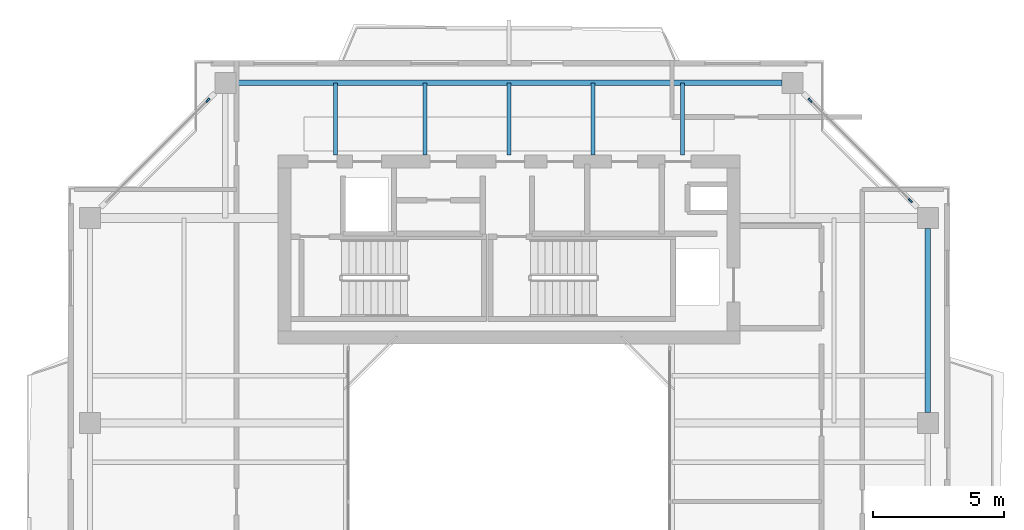
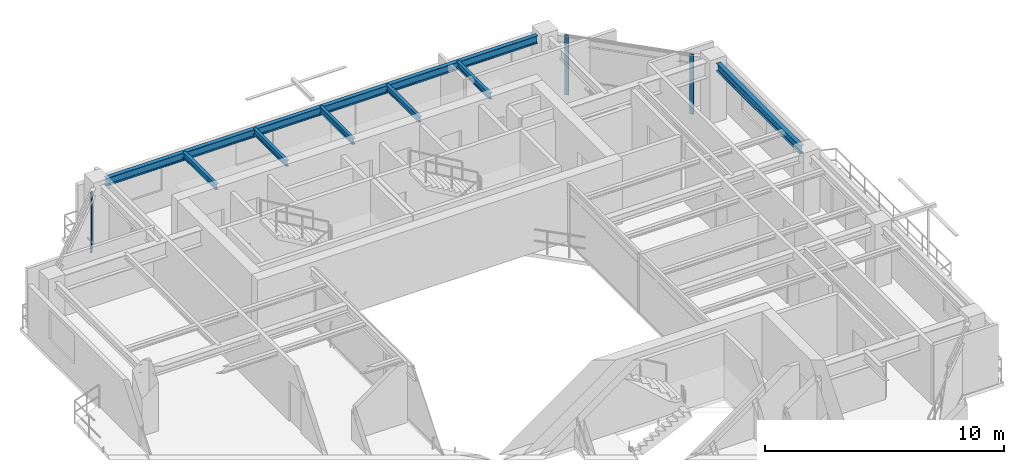
# One storey, part 8 of 16: 7 beams, 3 members, 2 elements without a shape of their own.
"""IFC4 building model written with IfcOpenShell, lengths in metres."""

from ifc_helpers import new_model, si_unit, direction, frame, origin, origin_2d, place, context, subcontext, project, spatial, rectangle, i_section, extrude, source, transform, mapped, material, layer, layer_set, material_profile, profile_set, type_object, element, aggregate, save


model = new_model("IFC4")

# Units and contexts
model_context = context("Model", 3, precision=1e-05, world=origin(), true_north=direction((0.0, 1.0)))
body_context = subcontext(model_context, "Body", "Model", "MODEL_VIEW")
ifc_project = project(units=[si_unit("LENGTHUNIT", "METRE"), si_unit("AREAUNIT", "SQUARE_METRE"), si_unit("VOLUMEUNIT", "CUBIC_METRE"), si_unit("PLANEANGLEUNIT", "RADIAN"), si_unit("MASSUNIT", "GRAM", prefix="KILO"), si_unit("THERMODYNAMICTEMPERATUREUNIT", "KELVIN"), si_unit("POWERUNIT", "WATT")], contexts=[model_context])

# Site, building, storey
site_placement = place(None, origin())
site = spatial("IfcSite", under=ifc_project, at=site_placement, CompositionType="ELEMENT")
building_placement = place(site_placement, origin())
building = spatial("IfcBuilding", under=site, at=building_placement, Name="Qiaomeng Ring Towers", CompositionType="ELEMENT")
storey_placement = place(building_placement, frame((0.0, 0.0, 229.5)))
storey = spatial("IfcBuildingStorey", under=building, at=storey_placement, Name="L67", CompositionType="ELEMENT", Elevation=229.5)

# Beams
ifc_material_1 = material(Name="Steel Q355B", Category="steel")
ifc_material_profile_1 = material_profile(ifc_material_1, i_section(OverallWidth=0.198974609375, OverallDepth=0.39599609375, WebThickness=0.007080078125, FlangeThickness=0.010986328125, FilletRadius=0.01611328125, at=origin_2d()), Name="HN 396x199x7x11")
ifc_profile_set_1 = profile_set([ifc_material_profile_1], Name="Steel Q355B")
beam_type_1 = type_object("IfcBeamType", Name="STR-BM-HN396", PredefinedType="SPANDREL", material=ifc_profile_set_1)
shared_shape_1 = source(origin(), body_context, "Body", "SweptSolid", [
    extrude(i_section(OverallWidth=0.198974609375, OverallDepth=0.39599609375, WebThickness=0.007080078125, FlangeThickness=0.010986328125, FilletRadius=0.01611328125, at=origin_2d()), origin(), (0.0, 0.0, 1.0), 20.8017578125),
])
beam_1_placement = place(storey_placement, frame((29.40087890625, 38.949951171875, 2.83203125), z_axis=(-1.0, 0.0, 0.0), x_axis=(0.0, -1.0, 0.0)))
element("IfcBeam", 1, at=beam_1_placement, inside=storey, type_object=beam_type_1, Name="L67 beam STR-SP-L67-T1-N2-N1", PredefinedType="SPANDREL", context=body_context, shape_type="MappedRepresentation", body=[
    mapped(shared_shape_1, transform((0.0, 0.0, 0.0), x_axis=(1.0, 0.0, 0.0), y_axis=(0.0, 1.0, 0.0), z_axis=(0.0, 0.0, 1.0), scale=1.0)),
])
shared_shape_2 = source(origin(), body_context, "Body", "SweptSolid", [
    extrude(i_section(OverallWidth=0.198974609375, OverallDepth=0.39599609375, WebThickness=0.007080078125, FlangeThickness=0.010986328125, FilletRadius=0.01611328125, at=origin_2d()), origin(), (0.0, 0.0, 1.0), 7.001953125),
])
beam_2_placement = place(storey_placement, frame((34.949951171875, 26.39892578125, 2.83203125), z_axis=(0.0, 1.0, 0.0), x_axis=(-1.0, 0.0, 0.0)))
element("IfcBeam", 2, at=beam_2_placement, inside=storey, type_object=beam_type_1, Name="L67 beam STR-SP-L67-T1-E3-E4", PredefinedType="SPANDREL", context=body_context, shape_type="MappedRepresentation", body=[
    mapped(shared_shape_2, transform((0.0, 0.0, 0.0), x_axis=(1.0, 0.0, 0.0), y_axis=(0.0, 1.0, 0.0), z_axis=(0.0, 0.0, 1.0), scale=1.0)),
])
ifc_material_profile_2 = material_profile(ifc_material_1, i_section(OverallWidth=0.14990234375, OverallDepth=0.300048828125, WebThickness=0.006591796875, FlangeThickness=0.009033203125, FilletRadius=0.012939453125, at=origin_2d()), Name="HN 300x150x6.5x9")
ifc_profile_set_2 = profile_set([ifc_material_profile_2], Name="Steel Q355B")
beam_type_2 = type_object("IfcBeamType", Name="STR-BM-HN300", PredefinedType="JOIST", material=ifc_profile_set_2)
shared_shape_3 = source(origin(), body_context, "Body", "SweptSolid", [
    extrude(i_section(OverallWidth=0.14990234375, OverallDepth=0.300048828125, WebThickness=0.006591796875, FlangeThickness=0.009033203125, FilletRadius=0.012939453125, at=origin_2d()), origin(), (0.0, 0.0, 1.0), 2.75),
])
for number, where, z_axis, x_axis, name in (
    (3, (12.39990234375, 36.199951171875, 2.8798828125), (0.0, 1.0, 0.0), (-1.0, 0.0, 0.0), "L67 beam STR-JST-L67-T1N-1"),
    (4, (15.800048828125, 36.199951171875, 2.8798828125), (0.0, 1.0, 0.0), (-1.0, 0.0, 0.0), "L67 beam STR-JST-L67-T1N-2"),
    (5, (19.0, 36.199951171875, 2.8798828125), (0.0, 1.0, 0.0), (-1.0, 0.0, 0.0), "L67 beam STR-JST-L67-T1N-3"),
    (6, (22.199951171875, 36.199951171875, 2.8798828125), (0.0, 1.0, 0.0), (-1.0, 0.0, 0.0), "L67 beam STR-JST-L67-T1N-4"),
    (7, (25.60009765625, 36.199951171875, 2.8798828125), (0.0, 1.0, 0.0), (-1.0, 0.0, 0.0), "L67 beam STR-JST-L67-T1N-5"),
):
    element("IfcBeam", number, at=place(storey_placement, frame(where, z_axis=z_axis, x_axis=x_axis)), inside=storey, type_object=beam_type_2, Name=name, PredefinedType="JOIST", context=body_context, shape_type="MappedRepresentation", body=[
        mapped(shared_shape_3, transform((0.0, 0.0, 0.0), x_axis=(1.0, 0.0, 0.0), y_axis=(0.0, 1.0, 0.0), z_axis=(0.0, 0.0, 1.0), scale=1.0)),
    ])

# Curtain wall, members
ifc_material_2 = material(Name="Fluorocarbon dark-grey aluminium", Category="aluminium")
ifc_layer = layer(ifc_material_2, 0.14990234375, Name="Fluorocarbon dark-grey aluminium")
ifc_layer_set = layer_set([ifc_layer], Name="Fluorocarbon dark-grey aluminium")
curtain_wall_type = type_object("IfcCurtainWallType", Name="ARC-CW-3", PredefinedType="NOTDEFINED", material=ifc_layer_set)
curtain_wall_1_placement = place(storey_placement, origin())
curtain_wall_1 = element("IfcCurtainWall", 8, at=curtain_wall_1_placement, inside=storey, type_object=curtain_wall_type, Name="L67 Curtain Wall CW3", PredefinedType="NOTDEFINED")
ifc_material_profile_3 = material_profile(ifc_material_2, rectangle(XDim=0.070068359375, YDim=0.179931640625, at=origin_2d()), Name="ALU MULL 70x180")
ifc_profile_set_3 = profile_set([ifc_material_profile_3], Name="Fluorocarbon dark-grey aluminium")
member_type = type_object("IfcMemberType", Name="ARC-CWM-160", PredefinedType="MULLION", material=ifc_profile_set_3)
shared_shape_4 = source(origin(), body_context, "Body", "SweptSolid", [
    extrude(rectangle(XDim=0.070068359375, YDim=0.179931640625, at=origin_2d()), origin(), (0.0, 0.0, 1.0), 3.030029296875),
])
member_1_placement = place(storey_placement, frame((34.28515625, 34.46484375, 0.0), z_axis=(0.0, 0.0, 1.0), x_axis=(-0.707106781187, -0.707106781187, 0.0)))
member_1 = element("IfcMember", 9, at=member_1_placement, type_object=member_type, Name="CW3 mullion 1", PredefinedType="MULLION", context=body_context, shape_type="MappedRepresentation", body=[
    mapped(shared_shape_4, transform((0.0, 0.0, 0.0), x_axis=(1.0, 0.0, 0.0), y_axis=(0.0, 1.0, 0.0), z_axis=(0.0, 0.0, 1.0), scale=1.0)),
])
member_2_placement = place(storey_placement, frame((30.46484375, 38.28515625, 0.0), z_axis=(0.0, 0.0, 1.0), x_axis=(-0.707106781187, -0.707106781187, 0.0)))
member_2 = element("IfcMember", 10, at=member_2_placement, type_object=member_type, Name="CW3 mullion 2", PredefinedType="MULLION", context=body_context, shape_type="MappedRepresentation", body=[
    mapped(shared_shape_4, transform((0.0, 0.0, 0.0), x_axis=(1.0, 0.0, 0.0), y_axis=(0.0, 1.0, 0.0), z_axis=(0.0, 0.0, 1.0), scale=1.0)),
])
aggregate(curtain_wall_1, [member_1, member_2])

# Curtain wall, member
curtain_wall_2_placement = place(storey_placement, origin())
curtain_wall_2 = element("IfcCurtainWall", 11, at=curtain_wall_2_placement, inside=storey, type_object=curtain_wall_type, Name="L67 Curtain Wall CW3", PredefinedType="NOTDEFINED")
member_3_placement = place(storey_placement, frame((7.53515625, 38.28515625, 0.0), z_axis=(0.0, 0.0, 1.0), x_axis=(0.707106781187, -0.707106781187, 0.0)))
member_3 = element("IfcMember", 12, at=member_3_placement, type_object=member_type, Name="CW3 mullion 1", PredefinedType="MULLION", context=body_context, shape_type="MappedRepresentation", body=[
    mapped(shared_shape_4, transform((0.0, 0.0, 0.0), x_axis=(1.0, 0.0, 0.0), y_axis=(0.0, 1.0, 0.0), z_axis=(0.0, 0.0, 1.0), scale=1.0)),
])
aggregate(curtain_wall_2, [member_3])

save(model, "model.ifc")
